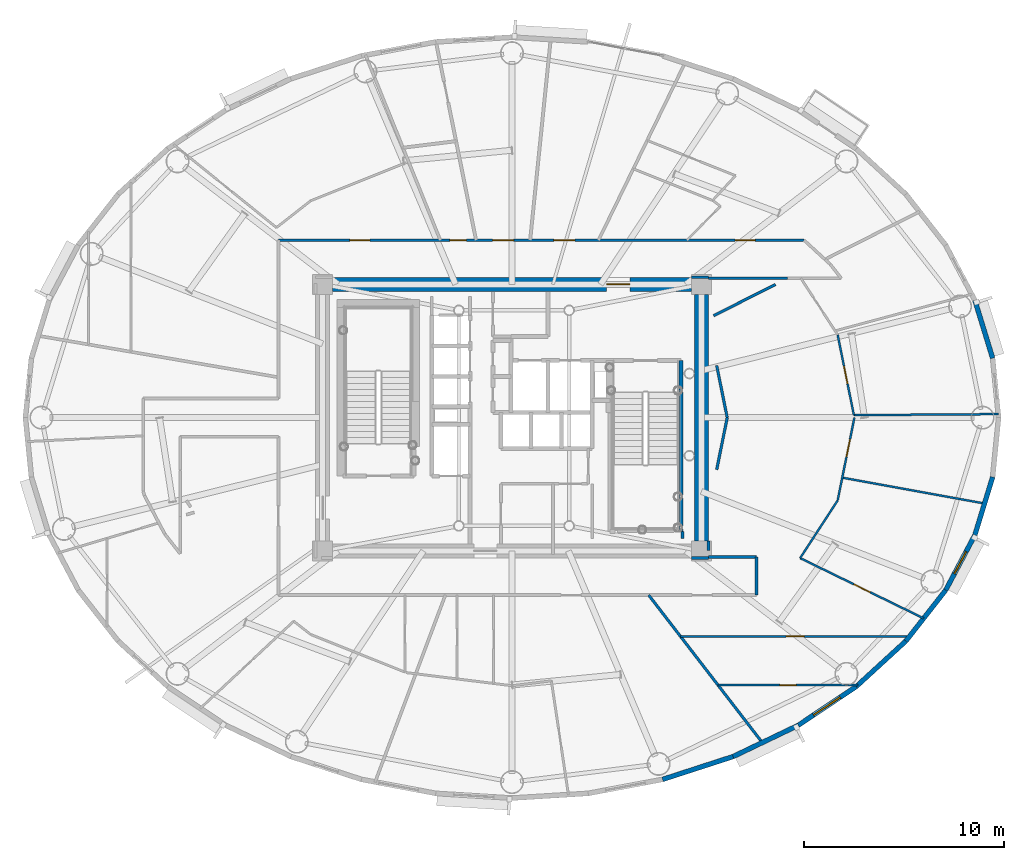
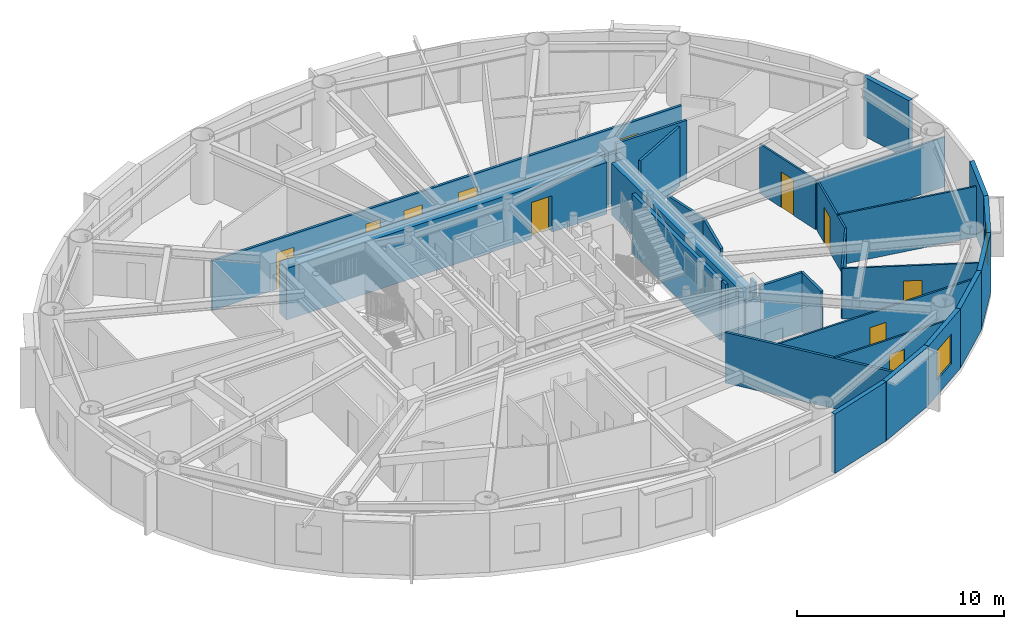
# One storey, part 12 of 21: 31 walls, 11 doors, 2 windows, 13 openings.
"""IFC4 building model written with IfcOpenShell, lengths in metres."""

import ifcopenshell
import ifcopenshell.guid

model = None  # the IFC model being written
_history = None  # IfcOwnerHistory: only IFC2X3 demands one
_inside = {}  # id of a spatial element -> (the spatial element, [elements in it])
_under = {}  # id of a project, library or spatial element -> (it, [spatial elements below it])
_declared = {}  # id of a project -> (the project, [libraries it declares])
_typed = {}  # id of a type object -> (the type object, [elements of that type])
_made_of = {}  # id of a material, layer set ... -> (it, [elements and type objects made of it])


def new_model(schema):
    """Start an empty IFC model of exactly this schema.

    Asked for "IFC4X3", IfcOpenShell would pick the latest addendum, in which some entities
    have other attributes; the version numbers below select the first issue.
    IFC2X3 requires an IfcOwnerHistory on every rooted entity: one is made here for all.
    """
    global model, _history
    if schema == "IFC4X3":
        model = ifcopenshell.file(schema_version=(4, 3, 0, 0))
    else:
        model = ifcopenshell.file(schema=schema)
    _inside.clear()
    _under.clear()
    _declared.clear()
    _typed.clear()
    _made_of.clear()
    _history = None
    if model.schema == "IFC2X3":
        org = make("IfcOrganization", Name="unknown")
        user = make(
            "IfcPersonAndOrganization",
            ThePerson=make("IfcPerson", FamilyName="unknown"),
            TheOrganization=org,
        )
        app = make(
            "IfcApplication",
            ApplicationDeveloper=org,
            Version="unknown",
            ApplicationFullName="unknown",
            ApplicationIdentifier="unknown",
        )
        _history = make(
            "IfcOwnerHistory",
            OwningUser=user,
            OwningApplication=app,
            ChangeAction="ADDED",
            CreationDate=0,
        )
    return model


def make(cls, **values):
    """One entity of the class cls with the attributes given. An attribute that is None is left unset."""
    return model.create_entity(
        cls, **{name: value for name, value in values.items() if value is not None}
    )


def rooted(cls, **values):
    """An entity with a GlobalId (a new one), such as an element, a storey or a relation."""
    return make(cls, GlobalId=ifcopenshell.guid.new(), OwnerHistory=_history, **values)


def si_unit(unit_type, name, prefix=None):
    """IfcSIUnit, for example si_unit("LENGTHUNIT", "METRE", prefix="MILLI")."""
    return make("IfcSIUnit", UnitType=unit_type, Prefix=prefix, Name=name)


def assignment(units):
    """IfcUnitAssignment: the units of a project."""
    return None if units is None else make("IfcUnitAssignment", Units=units)


def point(xyz):
    """IfcCartesianPoint."""
    return None if xyz is None else make("IfcCartesianPoint", Coordinates=xyz)


def direction(xyz):
    """IfcDirection."""
    return None if xyz is None else make("IfcDirection", DirectionRatios=xyz)


def frame(location, z_axis=None, x_axis=None):
    """IfcAxis2Placement3D, a coordinate frame: its origin and axes. An axis left out is left unset."""
    return make(
        "IfcAxis2Placement3D",
        Location=point(location),
        Axis=direction(z_axis),
        RefDirection=direction(x_axis),
    )


def frame_2d(location, x_axis=None):
    """IfcAxis2Placement2D, a coordinate frame in the plane: its origin and x axis."""
    return make(
        "IfcAxis2Placement2D", Location=point(location), RefDirection=direction(x_axis)
    )


def origin():
    """The frame at (0, 0, 0) with its axes left unset."""
    return frame((0.0, 0.0, 0.0))


def origin_2d():
    """The frame at (0, 0) in the plane with its x axis left unset."""
    return frame_2d((0.0, 0.0))


def place(relative_to, where):
    """IfcLocalPlacement: puts the frame where relative to a parent placement (None: the world)."""
    return make(
        "IfcLocalPlacement", PlacementRelTo=relative_to, RelativePlacement=where
    )


def context(
    kind, dimensions, precision=None, world=None, true_north=None, identifier=None
):
    """IfcGeometricRepresentationContext, for example the 3D "Model" context."""
    return make(
        "IfcGeometricRepresentationContext",
        ContextIdentifier=identifier,
        ContextType=kind,
        CoordinateSpaceDimension=dimensions,
        Precision=precision,
        WorldCoordinateSystem=world,
        TrueNorth=true_north,
    )


def subcontext(parent, identifier, kind, view, scale=None):
    """IfcGeometricRepresentationSubContext, for example "Body" below "Model"."""
    return make(
        "IfcGeometricRepresentationSubContext",
        ContextIdentifier=identifier,
        ContextType=kind,
        ParentContext=parent,
        TargetScale=scale,
        TargetView=view,
    )


def project(units=None, contexts=None):
    """IfcProject with its units and contexts."""
    return rooted(
        "IfcProject",
        Name="project",
        RepresentationContexts=contexts,
        UnitsInContext=assignment(units),
    )


def spatial(cls, under=None, at=None, **own):
    """A site, building, storey or space (cls), placed at a placement, below another one or the project."""
    s = rooted(cls, ObjectPlacement=at, **own)
    if under is not None:
        _under.setdefault(under.id(), (under, []))[1].append(s)
    return s


def profile(cls, at=None, kind="AREA", **sizes):
    """A parametric profile (cls). Its sizes go by their IFC names, for example OverallWidth=200.0."""
    return make(cls, ProfileType=kind, Position=at, **sizes)


def rectangle(**sizes):
    """IfcRectangleProfileDef."""
    return profile("IfcRectangleProfileDef", **sizes)


def extrude(swept, where, along, depth):
    """IfcExtrudedAreaSolid: the profile swept, set in the frame where, extruded along a direction by depth."""
    return make(
        "IfcExtrudedAreaSolid",
        SweptArea=swept,
        Position=where,
        ExtrudedDirection=direction(along),
        Depth=depth,
    )


def shape(context_of_items, identifier, shape_type, items):
    """IfcShapeRepresentation: the items that make up one representation, for example the "Body"."""
    return make(
        "IfcShapeRepresentation",
        ContextOfItems=context_of_items,
        RepresentationIdentifier=identifier,
        RepresentationType=shape_type,
        Items=items,
    )


def source(mapping_origin, context_of_items, identifier, shape_type, items):
    """IfcRepresentationMap: a shape defined once, which mapped items show again and again."""
    return make(
        "IfcRepresentationMap",
        MappingOrigin=mapping_origin,
        MappedRepresentation=shape(context_of_items, identifier, shape_type, items),
    )


def transform(
    local_origin,
    x_axis=None,
    y_axis=None,
    z_axis=None,
    scale=None,
    scale2=None,
    scale3=None,
    uniform=True,
):
    """IfcCartesianTransformationOperator3D, or its non-uniform kind. x_axis, y_axis, z_axis: its Axis1, 2, 3."""
    if uniform:
        return make(
            "IfcCartesianTransformationOperator3D",
            Axis1=direction(x_axis),
            Axis2=direction(y_axis),
            LocalOrigin=point(local_origin),
            Scale=scale,
            Axis3=direction(z_axis),
        )
    return make(
        "IfcCartesianTransformationOperator3DnonUniform",
        Axis1=direction(x_axis),
        Axis2=direction(y_axis),
        LocalOrigin=point(local_origin),
        Scale=scale,
        Axis3=direction(z_axis),
        Scale2=scale2,
        Scale3=scale3,
    )


def mapped(mapping_source, mapping_target):
    """IfcMappedItem: shows the shape of a source again, moved by a transform."""
    return make(
        "IfcMappedItem", MappingSource=mapping_source, MappingTarget=mapping_target
    )


def material(Name=None, Category=None):
    """IfcMaterial."""
    return make("IfcMaterial", Name=Name, Category=Category)


def layer(
    of_material, thickness, ventilated=None, Name=None, Category=None, Priority=None
):
    """IfcMaterialLayer: one layer of a wall or slab, of a material (None: an air gap)."""
    return make(
        "IfcMaterialLayer",
        Material=of_material,
        LayerThickness=thickness,
        IsVentilated=ventilated,
        Name=Name,
        Category=Category,
        Priority=Priority,
    )


def layer_set(layers, Name=None):
    """IfcMaterialLayerSet."""
    return make("IfcMaterialLayerSet", MaterialLayers=layers, LayerSetName=Name)


def made_of(thing, what):
    """Note that an element or type object is made of a material, layer set ...; save() writes the relation."""
    if what is not None:
        _made_of.setdefault(what.id(), (what, []))[1].append(thing)
    return thing


def type_object(cls, material=None, **own):
    """A type object (cls), such as IfcWallType, which elements share."""
    return made_of(rooted(cls, **own), material)


def element(
    cls,
    number,
    at=None,
    inside=None,
    cuts=None,
    type_object=None,
    material=None,
    context=None,
    identifier="Body",
    shape_type=None,
    held_by="IfcProductDefinitionShape",
    body=None,
    shapes=None,
    **own,
):
    """One element of the class cls, such as IfcWall. Its Tag is "e" and its number.

    at: its placement. inside: the storey or other place that contains it. cuts: it is an
    opening in that element (IfcRelVoidsElement). A single representation is given by context,
    identifier, shape_type and body (its items); several are given by shapes. held_by: the class
    of the entity that holds the representations. save() writes the other relations.
    """
    e = rooted(cls, Tag="e%d" % number, ObjectPlacement=at, **own)
    if body is not None:
        shapes = [shape(context, identifier, shape_type, body)]
    if shapes is not None:
        e.Representation = make(held_by, Representations=shapes)
    if inside is not None:
        _inside.setdefault(inside.id(), (inside, []))[1].append(e)
    if cuts is not None:
        rooted(
            "IfcRelVoidsElement", RelatingBuildingElement=cuts, RelatedOpeningElement=e
        )
    if type_object is not None:
        _typed.setdefault(type_object.id(), (type_object, []))[1].append(e)
    return made_of(e, material)


def fill(opening, filler):
    """IfcRelFillsElement: the door or window that sits in an opening."""
    return rooted(
        "IfcRelFillsElement",
        RelatingOpeningElement=opening,
        RelatedBuildingElement=filler,
    )


def aggregate(whole, parts):
    """IfcRelAggregates: a whole, such as a stair, and the parts it consists of."""
    return rooted("IfcRelAggregates", RelatingObject=whole, RelatedObjects=parts)


def save(model, path):
    """Write the relations noted so far, then the file.

    IfcRelAggregates (storeys below a building ...), IfcRelContainedInSpatialStructure (elements
    in a storey), IfcRelDefinesByType, IfcRelAssociatesMaterial and IfcRelDeclares: one each for
    every whole, place, type object, material and project.
    """
    for whole, parts in _under.values():
        aggregate(whole, parts)
    for where, things in _inside.values():
        rooted(
            "IfcRelContainedInSpatialStructure",
            RelatedElements=things,
            RelatingStructure=where,
        )
    for kind, things in _typed.values():
        rooted("IfcRelDefinesByType", RelatedObjects=things, RelatingType=kind)
    for what, things in _made_of.values():
        rooted("IfcRelAssociatesMaterial", RelatedObjects=things, RelatingMaterial=what)
    for by, libraries in _declared.values():
        rooted("IfcRelDeclares", RelatingContext=by, RelatedDefinitions=libraries)
    model.write(path)


model = new_model("IFC4")

# Units and contexts
model_context = context("Model", 3, precision=1e-05, world=origin(), true_north=direction((0.0, 1.0)))
body_context = subcontext(model_context, "Body", "Model", "MODEL_VIEW")
ifc_project = project(units=[si_unit("LENGTHUNIT", "METRE"), si_unit("AREAUNIT", "SQUARE_METRE"), si_unit("VOLUMEUNIT", "CUBIC_METRE"), si_unit("PLANEANGLEUNIT", "RADIAN"), si_unit("MASSUNIT", "GRAM", prefix="KILO")], contexts=[model_context])

# Site, building, storey
site_placement = place(None, origin())
site = spatial("IfcSite", under=ifc_project, at=site_placement, CompositionType="ELEMENT")
building_placement = place(site_placement, origin())
building = spatial("IfcBuilding", under=site, at=building_placement, Name="Linh Dai School and Residence Tower", CompositionType="ELEMENT")
storey_placement = place(building_placement, frame((0.0, 0.0, 229.050048828125)))
storey = spatial("IfcBuildingStorey", under=building, at=storey_placement, Name="L56", CompositionType="ELEMENT", Elevation=229.050048828125)

# Walls
ifc_material_1 = material(Name="Precast Concrete B45 (C35/45)", Category="concrete")
ifc_layer_1 = layer(ifc_material_1, 0.239990234375)
ifc_layer_set_1 = layer_set([ifc_layer_1], Name="Precast Concrete B45 (C35/45)")
wall_type_1 = type_object("IfcWallType", Name="EW-TC-240", PredefinedType="SOLIDWALL", material=ifc_layer_set_1)
wall_1_placement = place(storey_placement, frame((59.09033203125, 32.85595703125, 0.0), z_axis=(0.0, 0.0, 1.0), x_axis=(0.293132907334, -0.95607170162, 0.0)))
element("IfcWall", 1, at=wall_1_placement, inside=storey, type_object=wall_type_1, Name="L56 Terracotta Exterior Wall 02", PredefinedType="SOLIDWALL", context=body_context, shape_type="SweptSolid", body=[
    extrude(rectangle(XDim=3.02490234375, YDim=0.239990234375, at=frame_2d((1.512451171875, 0.0))), origin(), (0.0, 0.0, 1.0), 3.5),
])
wall_2_placement = place(storey_placement, frame((47.031005859375, 10.093505859375, 0.0), z_axis=(0.0, 0.0, 1.0), x_axis=(-0.951210789182, -0.308541787354, 0.0)))
element("IfcWall", 2, at=wall_2_placement, inside=storey, type_object=wall_type_1, Name="L56 Terracotta Exterior Wall 33", PredefinedType="SOLIDWALL", context=body_context, shape_type="SweptSolid", body=[
    extrude(rectangle(XDim=3.702392578125, YDim=0.239990234375, at=frame_2d((1.85107421875, 0.0))), origin(), (0.0, 0.0, 1.0), 3.5),
])
wall_3_placement = place(storey_placement, frame((50.280029296875, 11.65234375, 0.0), z_axis=(0.0, 0.0, 1.0), x_axis=(-0.901598104751, -0.432574684313, 0.0)))
element("IfcWall", 3, at=wall_3_placement, inside=storey, type_object=wall_type_1, Name="L56 Terracotta Exterior Wall 34", PredefinedType="SOLIDWALL", context=body_context, shape_type="SweptSolid", body=[
    extrude(rectangle(XDim=3.603515625, YDim=0.239990234375, at=frame_2d((1.8017578125, 0.0))), origin(), (0.0, 0.0, 1.0), 3.5),
])

# Wall, opening, window
wall_4_placement = place(storey_placement, frame((53.17626953125, 13.589111328125, 0.0), z_axis=(0.0, 0.0, 1.0), x_axis=(-0.831262496074, -0.555880079352, 0.0)))
wall_4 = element("IfcWall", 4, at=wall_4_placement, inside=storey, type_object=wall_type_1, Name="L56 Terracotta Exterior Wall 35", PredefinedType="SOLIDWALL", context=body_context, shape_type="SweptSolid", body=[
    extrude(rectangle(XDim=3.484130859375, YDim=0.239990234375, at=frame_2d((1.7421875, 0.0))), origin(), (0.0, 0.0, 1.0), 3.5),
])
opening_1_placement = place(wall_4_placement, frame((0.968017578125, 0.0, 0.89990234375)))
opening_1 = element("IfcOpeningElement", 5, at=opening_1_placement, cuts=wall_4, Name="Opening W2", PredefinedType="OPENING", context=body_context, shape_type="SweptSolid", body=[
    extrude(rectangle(XDim=1.60009765625, YDim=1.75, at=origin_2d()), frame((0.800048828125, 0.1298828125, 0.875), z_axis=(0.0, -1.0, 0.0), x_axis=(1.0, 0.0, 0.0)), (0.0, 0.0, 1.0), 0.260009765625),
])
ifc_material_2 = material(Name="Double Low-E Insulated Glazing", Category="glass")
window_type_1 = type_object("IfcWindowType", Name="WN-RES-1600x1750", PartitioningType="DOUBLE_PANEL_VERTICAL", PredefinedType="WINDOW", material=ifc_material_2)
shared_shape_1 = source(origin(), body_context, "Body", "SweptSolid", [
    extrude(rectangle(XDim=1.60009765625, YDim=1.75, at=origin_2d()), frame((0.800048828125, 0.030029296875, 0.875), z_axis=(0.0, -1.0, 0.0), x_axis=(1.0, 0.0, 0.0)), (0.0, 0.0, 1.0), 0.06005859375),
])
window_1_placement = place(opening_1_placement, origin())
window_1 = element("IfcWindow", 6, at=window_1_placement, inside=storey, type_object=window_type_1, Name="L56 Exterior Window 35.1", OverallHeight=1.75, OverallWidth=1.60009765625, PartitioningType="DOUBLE_PANEL_VERTICAL", PredefinedType="WINDOW", context=body_context, shape_type="MappedRepresentation", body=[
    mapped(shared_shape_1, transform((0.0, 0.0, 0.0), x_axis=(1.0, 0.0, 0.0), y_axis=(0.0, 1.0, 0.0), z_axis=(0.0, 0.0, 1.0), scale=1.0)),
])
fill(opening_1, window_1)

# Walls
wall_5_placement = place(storey_placement, frame((55.6484375, 15.85546875, 0.0), z_axis=(0.0, 0.0, 1.0), x_axis=(-0.737123922599, -0.675757591694, 0.0)))
element("IfcWall", 7, at=wall_5_placement, inside=storey, type_object=wall_type_1, Name="L56 Terracotta Exterior Wall 36", PredefinedType="SOLIDWALL", context=body_context, shape_type="SweptSolid", body=[
    extrude(rectangle(XDim=3.353759765625, YDim=0.239990234375, at=frame_2d((1.6767578125, 0.0))), origin(), (0.0, 0.0, 1.0), 3.5),
])
wall_6_placement = place(storey_placement, frame((57.6357421875, 18.394775390625, 0.0), z_axis=(0.0, 0.0, 1.0), x_axis=(-0.616312344705, -0.787501805562, 0.0)))
element("IfcWall", 8, at=wall_6_placement, inside=storey, type_object=wall_type_1, Name="L56 Terracotta Exterior Wall 37", PredefinedType="SOLIDWALL", context=body_context, shape_type="SweptSolid", body=[
    extrude(rectangle(XDim=3.224609375, YDim=0.239990234375, at=frame_2d((1.6123046875, 0.0))), origin(), (0.0, 0.0, 1.0), 3.5),
])

# Wall, opening, window
wall_7_placement = place(storey_placement, frame((59.09033203125, 21.14404296875, 0.0), z_axis=(0.0, 0.0, 1.0), x_axis=(-0.46766049993, -0.883908172157, 0.0)))
wall_7 = element("IfcWall", 9, at=wall_7_placement, inside=storey, type_object=wall_type_1, Name="L56 Terracotta Exterior Wall 38", PredefinedType="SOLIDWALL", context=body_context, shape_type="SweptSolid", body=[
    extrude(rectangle(XDim=3.1103515625, YDim=0.239990234375, at=frame_2d((1.55517578125, 0.0))), origin(), (0.0, 0.0, 1.0), 3.5),
])
opening_2_placement = place(wall_7_placement, frame((0.93017578125, 0.0, 0.89990234375)))
opening_2 = element("IfcOpeningElement", 10, at=opening_2_placement, cuts=wall_7, Name="Opening W3", PredefinedType="OPENING", context=body_context, shape_type="SweptSolid", body=[
    extrude(rectangle(XDim=1.25, YDim=1.64990234375, at=origin_2d()), frame((0.625, 0.1298828125, 0.824951171875), z_axis=(0.0, -1.0, 0.0), x_axis=(1.0, 0.0, 0.0)), (0.0, 0.0, 1.0), 0.260009765625),
])
window_type_2 = type_object("IfcWindowType", Name="WN-RES-1250x1650", PartitioningType="SINGLE_PANEL", PredefinedType="WINDOW", material=ifc_material_2)
shared_shape_2 = source(origin(), body_context, "Body", "SweptSolid", [
    extrude(rectangle(XDim=1.25, YDim=1.64990234375, at=origin_2d()), frame((0.625, 0.030029296875, 0.824951171875), z_axis=(0.0, -1.0, 0.0), x_axis=(1.0, 0.0, 0.0)), (0.0, 0.0, 1.0), 0.06005859375),
])
window_2_placement = place(opening_2_placement, origin())
window_2 = element("IfcWindow", 11, at=window_2_placement, inside=storey, type_object=window_type_2, Name="L56 Dwelling Window U5604-BD1", OverallHeight=1.64990234375, OverallWidth=1.25, PartitioningType="SINGLE_PANEL", PredefinedType="WINDOW", context=body_context, shape_type="MappedRepresentation", body=[
    mapped(shared_shape_2, transform((0.0, 0.0, 0.0), x_axis=(1.0, 0.0, 0.0), y_axis=(0.0, 1.0, 0.0), z_axis=(0.0, 0.0, 1.0), scale=1.0)),
])
fill(opening_2, window_2)

# Wall
wall_8_placement = place(storey_placement, frame((59.97705078125, 24.0361328125, 0.0), z_axis=(0.0, 0.0, 1.0), x_axis=(-0.293132907334, -0.95607170162, 0.0)))
element("IfcWall", 12, at=wall_8_placement, inside=storey, type_object=wall_type_1, Name="L56 Terracotta Exterior Wall 39", PredefinedType="SOLIDWALL", context=body_context, shape_type="SweptSolid", body=[
    extrude(rectangle(XDim=3.02490234375, YDim=0.239990234375, at=frame_2d((1.512451171875, 0.0))), origin(), (0.0, 0.0, 1.0), 3.5),
])

# Wall, openings, doors
ifc_material_3 = material(Name="Autoclaved Aerated Concrete Blockwork", Category="masonry")
ifc_layer_2 = layer(ifc_material_3, 0.135009765625)
ifc_layer_set_2 = layer_set([ifc_layer_2], Name="Autoclaved Aerated Concrete Blockwork")
wall_type_2 = type_object("IfcWallType", Name="IW-CORR-135-EI90", PredefinedType="PARTITIONING", material=ifc_layer_set_2)
wall_9_placement = place(storey_placement, frame((24.35009765625, 35.85009765625, 0.0), z_axis=(0.0, 0.0, 1.0), x_axis=(1.0, 0.0, 0.0)))
wall_9 = element("IfcWall", 13, at=wall_9_placement, inside=storey, type_object=wall_type_2, Name="L56 Interior Partition Wall 021", PredefinedType="PARTITIONING", context=body_context, shape_type="SweptSolid", body=[
    extrude(rectangle(XDim=26.2177734375, YDim=0.135009765625, at=frame_2d((13.10888671875, 0.0))), origin(), (0.0, 0.0, 1.0), 2.93505859375),
])
opening_3_placement = place(wall_9_placement, frame((3.55712890625, 0.0, 0.0)))
opening_3 = element("IfcOpeningElement", 14, at=opening_3_placement, cuts=wall_9, Name="Opening D03", PredefinedType="OPENING", context=body_context, shape_type="SweptSolid", body=[
    extrude(rectangle(XDim=1.0, YDim=2.14990234375, at=origin_2d()), frame((0.5, 0.07763671875, 1.074951171875), z_axis=(0.0, -1.0, 0.0), x_axis=(1.0, 0.0, 0.0)), (0.0, 0.0, 1.0), 0.155029296875),
])
opening_4_placement = place(wall_9_placement, frame((22.776123046875, 0.0, 0.0)))
opening_4 = element("IfcOpeningElement", 15, at=opening_4_placement, cuts=wall_9, Name="Opening D03", PredefinedType="OPENING", context=body_context, shape_type="SweptSolid", body=[
    extrude(rectangle(XDim=1.0, YDim=2.14990234375, at=origin_2d()), frame((0.5, 0.07763671875, 1.074951171875), z_axis=(0.0, -1.0, 0.0), x_axis=(1.0, 0.0, 0.0)), (0.0, 0.0, 1.0), 0.155029296875),
])
opening_5_placement = place(wall_9_placement, frame((13.73583984375, 0.0, 0.0)))
opening_5 = element("IfcOpeningElement", 16, at=opening_5_placement, cuts=wall_9, Name="Opening D04", PredefinedType="OPENING", context=body_context, shape_type="SweptSolid", body=[
    extrude(rectangle(XDim=1.050048828125, YDim=2.14990234375, at=origin_2d()), frame((0.52490234375, 0.07763671875, 1.074951171875), z_axis=(0.0, -1.0, 0.0), x_axis=(1.0, 0.0, 0.0)), (0.0, 0.0, 1.0), 0.155029296875),
])
opening_6_placement = place(wall_9_placement, frame((10.68212890625, 0.0, 0.0)))
opening_6 = element("IfcOpeningElement", 17, at=opening_6_placement, cuts=wall_9, Name="Opening D04", PredefinedType="OPENING", context=body_context, shape_type="SweptSolid", body=[
    extrude(rectangle(XDim=1.050048828125, YDim=2.14990234375, at=origin_2d()), frame((0.52490234375, 0.07763671875, 1.074951171875), z_axis=(0.0, -1.0, 0.0), x_axis=(1.0, 0.0, 0.0)), (0.0, 0.0, 1.0), 0.155029296875),
])
opening_7_placement = place(wall_9_placement, frame((8.556640625, 0.0, 0.0)))
opening_7 = element("IfcOpeningElement", 18, at=opening_7_placement, cuts=wall_9, Name="Opening D06", PredefinedType="OPENING", context=body_context, shape_type="SweptSolid", body=[
    extrude(rectangle(XDim=0.820068359375, YDim=2.10009765625, at=origin_2d()), frame((0.41015625, 0.07763671875, 1.050048828125), z_axis=(0.0, -1.0, 0.0), x_axis=(1.0, 0.0, 0.0)), (0.0, 0.0, 1.0), 0.155029296875),
])
ifc_material_4 = material(Name="Acoustic Vision-Panel Timber Classroom Door", Category="wood")
door_type_1 = type_object("IfcDoorType", Name="DR-SCH-1050x2150-FD60S", OperationType="NOTDEFINED", PredefinedType="DOOR", material=ifc_material_4)
shared_shape_3 = source(origin(), body_context, "Body", "SweptSolid", [
    extrude(rectangle(XDim=1.050048828125, YDim=2.14990234375, at=origin_2d()), frame((0.52490234375, 0.02490234375, 1.074951171875), z_axis=(0.0, -1.0, 0.0), x_axis=(1.0, 0.0, 0.0)), (0.0, 0.0, 1.0), 0.050048828125),
])
door_1_placement = place(opening_5_placement, origin())
door_1 = element("IfcDoor", 19, at=door_1_placement, inside=storey, type_object=door_type_1, Name="L56 Mid-High Sky Conservatory Salon Door", OperationType="SINGLE_SWING_LEFT", OverallHeight=2.14990234375, OverallWidth=1.050048828125, PredefinedType="DOOR", context=body_context, shape_type="MappedRepresentation", body=[
    mapped(shared_shape_3, transform((0.0, 0.0, 0.0), x_axis=(1.0, 0.0, 0.0), y_axis=(0.0, 1.0, 0.0), z_axis=(0.0, 0.0, 1.0), scale=1.0)),
])
fill(opening_5, door_1)
door_2_placement = place(opening_6_placement, origin())
door_2 = element("IfcDoor", 20, at=door_2_placement, inside=storey, type_object=door_type_1, Name="L56 Mid-High Sky Conservatory Salon Reading Room Door", OperationType="SINGLE_SWING_RIGHT", OverallHeight=2.14990234375, OverallWidth=1.050048828125, PredefinedType="DOOR", context=body_context, shape_type="MappedRepresentation", body=[
    mapped(shared_shape_3, transform((0.0, 0.0, 0.0), x_axis=(1.0, 0.0, 0.0), y_axis=(0.0, 1.0, 0.0), z_axis=(0.0, 0.0, 1.0), scale=1.0)),
])
fill(opening_6, door_2)
ifc_material_5 = material(Name="Moisture-Resistant Timber Bathroom Door", Category="wood")
door_type_2 = type_object("IfcDoorType", Name="DR-WET-820x2100", OperationType="NOTDEFINED", PredefinedType="DOOR", material=ifc_material_5)
shared_shape_4 = source(origin(), body_context, "Body", "SweptSolid", [
    extrude(rectangle(XDim=0.820068359375, YDim=2.10009765625, at=origin_2d()), frame((0.41015625, 0.02490234375, 1.050048828125), z_axis=(0.0, -1.0, 0.0), x_axis=(1.0, 0.0, 0.0)), (0.0, 0.0, 1.0), 0.050048828125),
])
door_3_placement = place(opening_7_placement, origin())
door_3 = element("IfcDoor", 21, at=door_3_placement, inside=storey, type_object=door_type_2, Name="L56 Amenity Accessible WC Door", OperationType="SINGLE_SWING_LEFT", OverallHeight=2.10009765625, OverallWidth=0.820068359375, PredefinedType="DOOR", context=body_context, shape_type="MappedRepresentation", body=[
    mapped(shared_shape_4, transform((0.0, 0.0, 0.0), x_axis=(1.0, 0.0, 0.0), y_axis=(0.0, 1.0, 0.0), z_axis=(0.0, 0.0, 1.0), scale=1.0)),
])
fill(opening_7, door_3)
ifc_material_6 = material(Name="Fire-Rated Solid Timber Entrance Door", Category="wood")
door_type_3 = type_object("IfcDoorType", Name="DR-FLAT-1000x2150-FD60S", OperationType="NOTDEFINED", PredefinedType="DOOR", material=ifc_material_6)
shared_shape_5 = source(origin(), body_context, "Body", "SweptSolid", [
    extrude(rectangle(XDim=1.0, YDim=2.14990234375, at=origin_2d()), frame((0.5, 0.02490234375, 1.074951171875), z_axis=(0.0, -1.0, 0.0), x_axis=(1.0, 0.0, 0.0)), (0.0, 0.0, 1.0), 0.050048828125),
])
door_4_placement = place(opening_3_placement, origin())
door_4 = element("IfcDoor", 22, at=door_4_placement, inside=storey, type_object=door_type_3, Name="L56 U5601 Apartment Entrance Door", OperationType="SINGLE_SWING_LEFT", OverallHeight=2.14990234375, OverallWidth=1.0, PredefinedType="DOOR", context=body_context, shape_type="MappedRepresentation", body=[
    mapped(shared_shape_5, transform((0.0, 0.0, 0.0), x_axis=(1.0, 0.0, 0.0), y_axis=(0.0, 1.0, 0.0), z_axis=(0.0, 0.0, 1.0), scale=1.0)),
])
fill(opening_3, door_4)
door_5_placement = place(opening_4_placement, origin())
door_5 = element("IfcDoor", 23, at=door_5_placement, inside=storey, type_object=door_type_3, Name="L56 U5605 Apartment Entrance Door", OperationType="SINGLE_SWING_RIGHT", OverallHeight=2.14990234375, OverallWidth=1.0, PredefinedType="DOOR", context=body_context, shape_type="MappedRepresentation", body=[
    mapped(shared_shape_5, transform((0.0, 0.0, 0.0), x_axis=(1.0, 0.0, 0.0), y_axis=(0.0, 1.0, 0.0), z_axis=(0.0, 0.0, 1.0), scale=1.0)),
])
fill(opening_4, door_5)

# Walls
wall_10_placement = place(storey_placement, frame((42.81689453125, 18.14990234375, 0.0), z_axis=(0.0, 0.0, 1.0), x_axis=(0.610231128601, -0.792223434194, 0.0)))
element("IfcWall", 24, at=wall_10_placement, inside=storey, type_object=wall_type_2, Name="L56 Interior Partition Wall 071", PredefinedType="PARTITIONING", context=body_context, shape_type="SweptSolid", body=[
    extrude(rectangle(XDim=9.2939453125, YDim=0.135009765625, at=frame_2d((4.64697265625, 0.0))), origin(), (0.0, 0.0, 1.0), 2.98486328125),
])
wall_11_placement = place(storey_placement, frame((45.800048828125, 20.050048828125, 0.0), z_axis=(0.0, 0.0, 1.0), x_axis=(1.0, 0.0, 0.0)))
element("IfcWall", 25, at=wall_11_placement, inside=storey, type_object=wall_type_2, Name="L56 Interior Partition Wall 075", PredefinedType="PARTITIONING", context=body_context, shape_type="SweptSolid", body=[
    extrude(rectangle(XDim=2.39990234375, YDim=0.135009765625, at=frame_2d((1.199951171875, 0.0))), origin(), (0.0, 0.0, 1.0), 3.5),
])
wall_12_placement = place(storey_placement, frame((48.199951171875, 18.14990234375, 0.0), z_axis=(0.0, 0.0, 1.0), x_axis=(0.0, 1.0, 0.0)))
element("IfcWall", 26, at=wall_12_placement, inside=storey, type_object=wall_type_2, Name="L56 Interior Partition Wall 079", PredefinedType="PARTITIONING", context=body_context, shape_type="SweptSolid", body=[
    extrude(rectangle(XDim=1.900146484375, YDim=0.135009765625, at=frame_2d((0.9501953125, 0.0))), origin(), (0.0, 0.0, 1.0), 3.5),
])
wall_13_placement = place(storey_placement, frame((44.5, 20.9599609375, 0.0), z_axis=(0.0, 0.0, 1.0), x_axis=(0.0, 1.0, 0.0)))
element("IfcWall", 27, at=wall_13_placement, inside=storey, type_object=wall_type_2, Name="L56 Interior Partition Wall 097", PredefinedType="PARTITIONING", context=body_context, shape_type="SweptSolid", body=[
    extrude(rectangle(XDim=0.360107421875, YDim=0.135009765625, at=frame_2d((0.18017578125, 0.0))), origin(), (0.0, 0.0, 1.0), 3.5),
])
wall_14_placement = place(storey_placement, frame((49.737548828125, 33.949951171875, 0.0), z_axis=(0.0, 0.0, 1.0), x_axis=(-1.0, 0.0, 0.0)))
element("IfcWall", 28, at=wall_14_placement, inside=storey, type_object=wall_type_2, Name="L56 Interior Partition Wall 100", PredefinedType="PARTITIONING", context=body_context, shape_type="SweptSolid", body=[
    extrude(rectangle(XDim=3.9375, YDim=0.135009765625, at=frame_2d((1.96875, 0.0))), origin(), (0.0, 0.0, 1.0), 3.5),
])
for number, where, z_axis, x_axis, name in (
    (29, (45.7900390625, 34.0, 0.0), (0.0, 0.0, 1.0), (-1.0, 0.0, 0.0), "L56 Interior Partition Wall 101"),
    (30, (44.9599609375, 20.0, 0.0), (0.0, 0.0, 1.0), (1.0, 0.0, 0.0), "L56 Interior Partition Wall 106"),
):
    element("IfcWall", number, at=place(storey_placement, frame(where, z_axis=z_axis, x_axis=x_axis)), inside=storey, type_object=wall_type_2, Name=name, PredefinedType="PARTITIONING", context=body_context, shape_type="SweptSolid", body=[
        extrude(rectangle(XDim=0.830078125, YDim=0.135009765625, at=frame_2d((0.4150390625, 0.0))), origin(), (0.0, 0.0, 1.0), 2.93505859375),
    ])
wall_15_placement = place(storey_placement, frame((45.800048828125, 20.37744140625, 0.0), z_axis=(0.0, 0.0, 1.0), x_axis=(0.0, 1.0, 0.0)))
element("IfcWall", 31, at=wall_15_placement, inside=storey, type_object=wall_type_2, Name="L56 Interior Partition Wall 109", PredefinedType="PARTITIONING", context=body_context, shape_type="SweptSolid", body=[
    extrude(rectangle(XDim=0.462646484375, YDim=0.135009765625, at=frame_2d((0.2314453125, 0.0))), origin(), (0.0, 0.0, 1.0), 3.5),
])
for number, where, z_axis, x_axis, name in (
    (32, (46.21044921875, 24.40234375, 0.0), (0.0, 0.0, 1.0), (0.198330009585, 0.980135300506, 0.0), "L56 Interior Partition Wall 110"),
    (33, (46.736083984375, 27.0, 0.0), (0.0, 0.0, 1.0), (-0.198330009585, 0.980135300506, 0.0), "L56 Interior Partition Wall 111"),
):
    element("IfcWall", number, at=place(storey_placement, frame(where, z_axis=z_axis, x_axis=x_axis)), inside=storey, type_object=wall_type_2, Name=name, PredefinedType="PARTITIONING", context=body_context, shape_type="SweptSolid", body=[
        extrude(rectangle(XDim=2.650390625, YDim=0.135009765625, at=frame_2d((1.3251953125, 0.0))), origin(), (0.0, 0.0, 1.0), 2.93505859375),
    ])
wall_16_placement = place(storey_placement, frame((46.06005859375, 32.085693359375, 0.0), z_axis=(0.0, 0.0, 1.0), x_axis=(0.892408614257, 0.451228174209, 0.0)))
element("IfcWall", 34, at=wall_16_placement, inside=storey, type_object=wall_type_2, Name="L56 Interior Partition Wall 112", PredefinedType="PARTITIONING", context=body_context, shape_type="SweptSolid", body=[
    extrude(rectangle(XDim=3.450439453125, YDim=0.135009765625, at=frame_2d((1.72509765625, 0.0))), origin(), (0.0, 0.0, 1.0), 3.5),
])
ifc_material_7 = material(Name="Concrete B45 (C35/45)", Category="concrete")
ifc_layer_3 = layer(ifc_material_7, 0.199951171875)
ifc_layer_set_3 = layer_set([ifc_layer_3], Name="Concrete B45 (C35/45)")
wall_type_3 = type_object("IfcWallType", Name="IW-SHAFT-200-EI120", PredefinedType="PARTITIONING", material=ifc_layer_set_3)
wall_17_placement = place(storey_placement, frame((44.43994140625, 21.330078125, 0.0), z_axis=(0.0, 0.0, 1.0), x_axis=(0.0, 1.0, 0.0)))
element("IfcWall", 35, at=wall_17_placement, inside=storey, type_object=wall_type_3, Name="L56 Interior Partition Wall 073", PredefinedType="PARTITIONING", context=body_context, shape_type="SweptSolid", body=[
    extrude(rectangle(XDim=8.52001953125, YDim=0.199951171875, at=frame_2d((4.260009765625, 0.0))), origin(), (0.0, 0.0, 1.0), 3.5),
])

# Wall, opening, door
ifc_material_8 = material(Name="Gypsum Plasterboard Acoustic Stud Partition", Category="masonry")
ifc_layer_4 = layer(ifc_material_8, 0.10009765625)
ifc_layer_set_4 = layer_set([ifc_layer_4], Name="Gypsum Plasterboard Acoustic Stud Partition")
wall_type_4 = type_object("IfcWallType", Name="IW-UNIT-100", PredefinedType="PARTITIONING", material=ifc_layer_set_4)
wall_18_placement = place(storey_placement, frame((44.400634765625, 16.093994140625, 0.0), z_axis=(0.0, 0.0, 1.0), x_axis=(1.0, 0.0, 0.0)))
wall_18 = element("IfcWall", 36, at=wall_18_placement, inside=storey, type_object=wall_type_4, Name="L56 Interior Partition Wall 072", PredefinedType="PARTITIONING", context=body_context, shape_type="SweptSolid", body=[
    extrude(rectangle(XDim=11.44091796875, YDim=0.10009765625, at=frame_2d((5.720458984375, 0.0))), origin(), (0.0, 0.0, 1.0), 2.93505859375),
])
opening_8_placement = place(wall_18_placement, frame((5.2705078125, 0.0, 0.0)))
opening_8 = element("IfcOpeningElement", 37, at=opening_8_placement, cuts=wall_18, Name="Opening D05", PredefinedType="OPENING", context=body_context, shape_type="SweptSolid", body=[
    extrude(rectangle(XDim=0.89990234375, YDim=2.10009765625, at=origin_2d()), frame((0.449951171875, 0.06005859375, 1.050048828125), z_axis=(0.0, -1.0, 0.0), x_axis=(1.0, 0.0, 0.0)), (0.0, 0.0, 1.0), 0.1201171875),
])
ifc_material_9 = material(Name="Engineered Timber Internal Door", Category="wood")
door_type_4 = type_object("IfcDoorType", Name="DR-INT-900x2100", OperationType="NOTDEFINED", PredefinedType="DOOR", material=ifc_material_9)
shared_shape_6 = source(origin(), body_context, "Body", "SweptSolid", [
    extrude(rectangle(XDim=0.89990234375, YDim=2.10009765625, at=origin_2d()), frame((0.449951171875, 0.02490234375, 1.050048828125), z_axis=(0.0, -1.0, 0.0), x_axis=(1.0, 0.0, 0.0)), (0.0, 0.0, 1.0), 0.050048828125),
])
door_6_placement = place(opening_8_placement, origin())
door_6 = element("IfcDoor", 38, at=door_6_placement, inside=storey, type_object=door_type_4, Name="L56 Apartment U5604 Kitchen Door", OperationType="SINGLE_SWING_RIGHT", OverallHeight=2.10009765625, OverallWidth=0.89990234375, PredefinedType="DOOR", context=body_context, shape_type="MappedRepresentation", body=[
    mapped(shared_shape_6, transform((0.0, 0.0, 0.0), x_axis=(1.0, 0.0, 0.0), y_axis=(0.0, 1.0, 0.0), z_axis=(0.0, 0.0, 1.0), scale=1.0)),
])
fill(opening_8, door_6)

wall_19_placement = place(storey_placement, frame((46.276123046875, 13.6591796875, 0.0), z_axis=(0.0, 0.0, 1.0), x_axis=(1.0, 0.0, 0.0)))
wall_19 = element("IfcWall", 39, at=wall_19_placement, inside=storey, type_object=wall_type_4, Name="L56 Interior Partition Wall 078", PredefinedType="PARTITIONING", context=body_context, shape_type="SweptSolid", body=[
    extrude(rectangle(XDim=6.98388671875, YDim=0.10009765625, at=frame_2d((3.491943359375, 0.0))), origin(), (0.0, 0.0, 1.0), 2.98486328125),
])
opening_9_placement = place(wall_19_placement, frame((3.081787109375, 0.0, 0.0)))
opening_9 = element("IfcOpeningElement", 40, at=opening_9_placement, cuts=wall_19, Name="Opening D06", PredefinedType="OPENING", context=body_context, shape_type="SweptSolid", body=[
    extrude(rectangle(XDim=0.820068359375, YDim=2.10009765625, at=origin_2d()), frame((0.41015625, 0.06005859375, 1.050048828125), z_axis=(0.0, -1.0, 0.0), x_axis=(1.0, 0.0, 0.0)), (0.0, 0.0, 1.0), 0.1201171875),
])
door_7_placement = place(opening_9_placement, origin())
door_7 = element("IfcDoor", 41, at=door_7_placement, inside=storey, type_object=door_type_2, Name="L56 Apartment U5604 Bathroom 1 Door", OperationType="SINGLE_SWING_LEFT", OverallHeight=2.10009765625, OverallWidth=0.820068359375, PredefinedType="DOOR", context=body_context, shape_type="MappedRepresentation", body=[
    mapped(shared_shape_4, transform((0.0, 0.0, 0.0), x_axis=(1.0, 0.0, 0.0), y_axis=(0.0, 1.0, 0.0), z_axis=(0.0, 0.0, 1.0), scale=1.0)),
])
fill(opening_9, door_7)

# Wall
wall_20_placement = place(storey_placement, frame((50.37353515625, 19.992919921875, 0.0), z_axis=(0.0, 0.0, 1.0), x_axis=(0.545433660686, 0.838153996465, 0.0)))
element("IfcWall", 42, at=wall_20_placement, inside=storey, type_object=wall_type_4, Name="L56 Interior Partition Wall 081", PredefinedType="PARTITIONING", context=body_context, shape_type="SweptSolid", body=[
    extrude(rectangle(XDim=3.4296875, YDim=0.10009765625, at=frame_2d((1.71484375, 0.0))), origin(), (0.0, 0.0, 1.0), 2.93505859375),
])

# Wall, opening, door
wall_21_placement = place(storey_placement, frame((50.37353515625, 19.992919921875, 0.0), z_axis=(0.0, 0.0, 1.0), x_axis=(0.898866241562, -0.438223093618, 0.0)))
wall_21 = element("IfcWall", 43, at=wall_21_placement, inside=storey, type_object=wall_type_4, Name="L56 Interior Partition Wall 082", PredefinedType="PARTITIONING", context=body_context, shape_type="SweptSolid", body=[
    extrude(rectangle(XDim=6.8603515625, YDim=0.10009765625, at=frame_2d((3.43017578125, 0.0))), origin(), (0.0, 0.0, 1.0), 2.98486328125),
])
opening_10_placement = place(wall_21_placement, frame((2.980224609375, 0.0, 0.0)))
opening_10 = element("IfcOpeningElement", 44, at=opening_10_placement, cuts=wall_21, Name="Opening D05", PredefinedType="OPENING", context=body_context, shape_type="SweptSolid", body=[
    extrude(rectangle(XDim=0.89990234375, YDim=2.10009765625, at=origin_2d()), frame((0.449951171875, 0.06005859375, 1.050048828125), z_axis=(0.0, -1.0, 0.0), x_axis=(1.0, 0.0, 0.0)), (0.0, 0.0, 1.0), 0.1201171875),
])
door_8_placement = place(opening_10_placement, origin())
door_8 = element("IfcDoor", 45, at=door_8_placement, inside=storey, type_object=door_type_4, Name="L56 Apartment U5604 Principal Bedroom 1 Door", OperationType="SINGLE_SWING_RIGHT", OverallHeight=2.10009765625, OverallWidth=0.89990234375, PredefinedType="DOOR", context=body_context, shape_type="MappedRepresentation", body=[
    mapped(shared_shape_6, transform((0.0, 0.0, 0.0), x_axis=(1.0, 0.0, 0.0), y_axis=(0.0, 1.0, 0.0), z_axis=(0.0, 0.0, 1.0), scale=1.0)),
])
fill(opening_10, door_8)

wall_22_placement = place(storey_placement, frame((52.244140625, 22.867431640625, 0.0), z_axis=(0.0, 0.0, 1.0), x_axis=(0.198264809747, 0.980148491411, 0.0)))
wall_22 = element("IfcWall", 46, at=wall_22_placement, inside=storey, type_object=wall_type_4, Name="L56 Interior Partition Wall 089", PredefinedType="PARTITIONING", context=body_context, shape_type="SweptSolid", body=[
    extrude(rectangle(XDim=4.21630859375, YDim=0.10009765625, at=frame_2d((2.108154296875, 0.0))), origin(), (0.0, 0.0, 1.0), 2.93505859375),
])
opening_11_placement = place(wall_22_placement, frame((2.218994140625, 0.0, 0.0)))
opening_11 = element("IfcOpeningElement", 47, at=opening_11_placement, cuts=wall_22, Name="Opening D05", PredefinedType="OPENING", context=body_context, shape_type="SweptSolid", body=[
    extrude(rectangle(XDim=0.89990234375, YDim=2.10009765625, at=origin_2d()), frame((0.449951171875, 0.06005859375, 1.050048828125), z_axis=(0.0, -1.0, 0.0), x_axis=(1.0, 0.0, 0.0)), (0.0, 0.0, 1.0), 0.1201171875),
])
door_9_placement = place(opening_11_placement, origin())
door_9 = element("IfcDoor", 48, at=door_9_placement, inside=storey, type_object=door_type_4, Name="L56 Apartment U5604 Study Door", OperationType="SINGLE_SWING_LEFT", OverallHeight=2.10009765625, OverallWidth=0.89990234375, PredefinedType="DOOR", context=body_context, shape_type="MappedRepresentation", body=[
    mapped(shared_shape_6, transform((0.0, 0.0, 0.0), x_axis=(1.0, 0.0, 0.0), y_axis=(0.0, 1.0, 0.0), z_axis=(0.0, 0.0, 1.0), scale=1.0)),
])
fill(opening_11, door_9)

wall_23_placement = place(storey_placement, frame((52.244140625, 31.132568359375, 0.0), z_axis=(0.0, 0.0, 1.0), x_axis=(0.198216162216, -0.980158330596, 0.0)))
wall_23 = element("IfcWall", 49, at=wall_23_placement, inside=storey, type_object=wall_type_4, Name="L56 Interior Partition Wall 090", PredefinedType="PARTITIONING", context=body_context, shape_type="SweptSolid", body=[
    extrude(rectangle(XDim=4.09033203125, YDim=0.10009765625, at=frame_2d((2.045166015625, 0.0))), origin(), (0.0, 0.0, 1.0), 2.93505859375),
])
opening_12_placement = place(wall_23_placement, frame((1.59521484375, 0.0, 0.0)))
opening_12 = element("IfcOpeningElement", 50, at=opening_12_placement, cuts=wall_23, Name="Opening D05", PredefinedType="OPENING", context=body_context, shape_type="SweptSolid", body=[
    extrude(rectangle(XDim=0.89990234375, YDim=2.10009765625, at=origin_2d()), frame((0.449951171875, 0.06005859375, 1.050048828125), z_axis=(0.0, -1.0, 0.0), x_axis=(1.0, 0.0, 0.0)), (0.0, 0.0, 1.0), 0.1201171875),
])
door_10_placement = place(opening_12_placement, origin())
door_10 = element("IfcDoor", 51, at=door_10_placement, inside=storey, type_object=door_type_4, Name="L56 Apartment U5604 Principal Bedroom 2 Door", OperationType="SINGLE_SWING_RIGHT", OverallHeight=2.10009765625, OverallWidth=0.89990234375, PredefinedType="DOOR", context=body_context, shape_type="MappedRepresentation", body=[
    mapped(shared_shape_6, transform((0.0, 0.0, 0.0), x_axis=(1.0, 0.0, 0.0), y_axis=(0.0, 1.0, 0.0), z_axis=(0.0, 0.0, 1.0), scale=1.0)),
])
fill(opening_12, door_10)

# Walls
wall_24_placement = place(storey_placement, frame((52.474365234375, 24.006103515625, 0.0), z_axis=(0.0, 0.0, 1.0), x_axis=(0.98388667926, -0.178793183242, 0.0)))
element("IfcWall", 52, at=wall_24_placement, inside=storey, type_object=wall_type_4, Name="L56 Interior Partition Wall 091", PredefinedType="PARTITIONING", context=body_context, shape_type="SweptSolid", body=[
    extrude(rectangle(XDim=7.21923828125, YDim=0.10009765625, at=frame_2d((3.609619140625, 0.0))), origin(), (0.0, 0.0, 1.0), 2.98486328125),
])
wall_25_placement = place(storey_placement, frame((53.054931640625, 27.123291015625, 0.0), z_axis=(0.0, 0.0, 1.0), x_axis=(0.999973728257, 0.007248640941, 0.0)))
element("IfcWall", 53, at=wall_25_placement, inside=storey, type_object=wall_type_4, Name="L56 Interior Partition Wall 092", PredefinedType="PARTITIONING", context=body_context, shape_type="SweptSolid", body=[
    extrude(rectangle(XDim=7.207763671875, YDim=0.10009765625, at=frame_2d((3.60400390625, 0.0))), origin(), (0.0, 0.0, 1.0), 2.93505859375),
])

# Wall, opening, door
ifc_layer_5 = layer(ifc_material_7, 0.699951171875)
ifc_layer_set_5 = layer_set([ifc_layer_5], Name="Concrete B45 (C35/45)")
wall_type_5 = type_object("IfcWallType", Name="WL-CORE700", PredefinedType="SHEAR", material=ifc_layer_set_5)
wall_26_placement = place(storey_placement, frame((27.050048828125, 33.64990234375, 0.0), z_axis=(0.0, 0.0, 1.0), x_axis=(1.0, 0.0, 0.0)))
wall_26 = element("IfcWall", 54, at=wall_26_placement, inside=storey, type_object=wall_type_5, Name="L56 Central Core Shear Wall N", PredefinedType="SHEAR", context=body_context, shape_type="SweptSolid", body=[
    extrude(rectangle(XDim=17.89990234375, YDim=0.699951171875, at=frame_2d((8.949951171875, 0.0))), origin(), (0.0, 0.0, 1.0), 3.050048828125),
])
opening_13_placement = place(wall_26_placement, frame((13.675048828125, 0.0, 0.0)))
opening_13 = element("IfcOpeningElement", 55, at=opening_13_placement, cuts=wall_26, Name="Opening D02", PredefinedType="OPENING", context=body_context, shape_type="SweptSolid", body=[
    extrude(rectangle(XDim=1.14990234375, YDim=2.14990234375, at=origin_2d()), frame((0.574951171875, 0.35986328125, 1.074951171875), z_axis=(0.0, -1.0, 0.0), x_axis=(1.0, 0.0, 0.0)), (0.0, 0.0, 1.0), 0.719970703125),
])
ifc_material_10 = material(Name="Fire-Rated Glazed Steel Lobby Door", Category="steel")
door_type_5 = type_object("IfcDoorType", Name="DR-LOBBY-1150x2150-FD90S", OperationType="NOTDEFINED", PredefinedType="DOOR", material=ifc_material_10)
shared_shape_7 = source(origin(), body_context, "Body", "SweptSolid", [
    extrude(rectangle(XDim=1.14990234375, YDim=2.14990234375, at=origin_2d()), frame((0.574951171875, 0.02490234375, 1.074951171875), z_axis=(0.0, -1.0, 0.0), x_axis=(1.0, 0.0, 0.0)), (0.0, 0.0, 1.0), 0.050048828125),
])
door_11_placement = place(opening_13_placement, origin())
door_11 = element("IfcDoor", 56, at=door_11_placement, inside=storey, type_object=door_type_5, Name="L56 Firefighting Lobby Door", OperationType="SINGLE_SWING_LEFT", OverallHeight=2.14990234375, OverallWidth=1.14990234375, PredefinedType="DOOR", context=body_context, shape_type="MappedRepresentation", body=[
    mapped(shared_shape_7, transform((0.0, 0.0, 0.0), x_axis=(1.0, 0.0, 0.0), y_axis=(0.0, 1.0, 0.0), z_axis=(0.0, 0.0, 1.0), scale=1.0)),
])
fill(opening_13, door_11)

# Wall
wall_27_placement = place(storey_placement, frame((45.449951171875, 33.14990234375, 0.0), z_axis=(0.0, 0.0, 1.0), x_axis=(0.0, -1.0, 0.0)))
element("IfcWall", 57, at=wall_27_placement, inside=storey, type_object=wall_type_5, Name="L56 Central Core Shear Wall E", PredefinedType="SHEAR", context=body_context, shape_type="SweptSolid", body=[
    extrude(rectangle(XDim=12.2998046875, YDim=0.699951171875, at=frame_2d((6.14990234375, 0.0))), origin(), (0.0, 0.0, 1.0), 3.050048828125),
])

save(model, "model.ifc")
